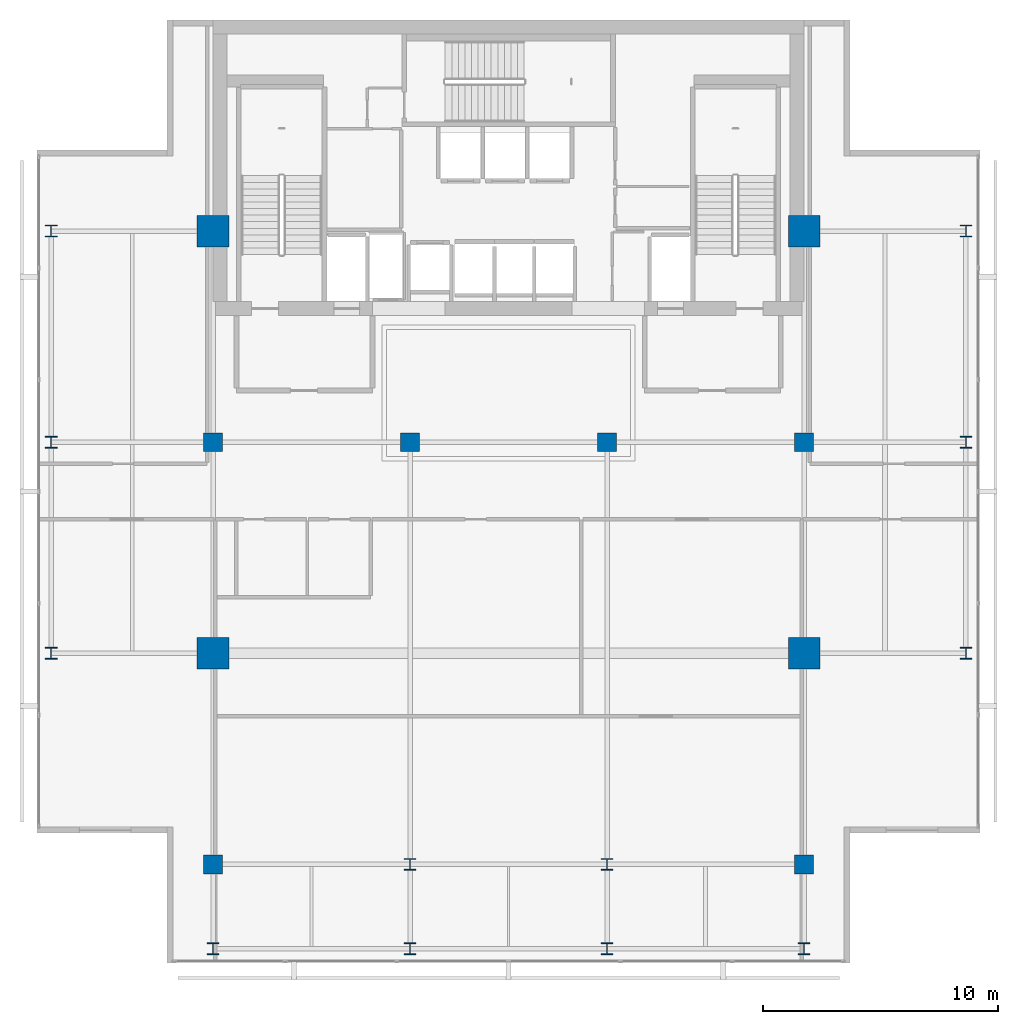
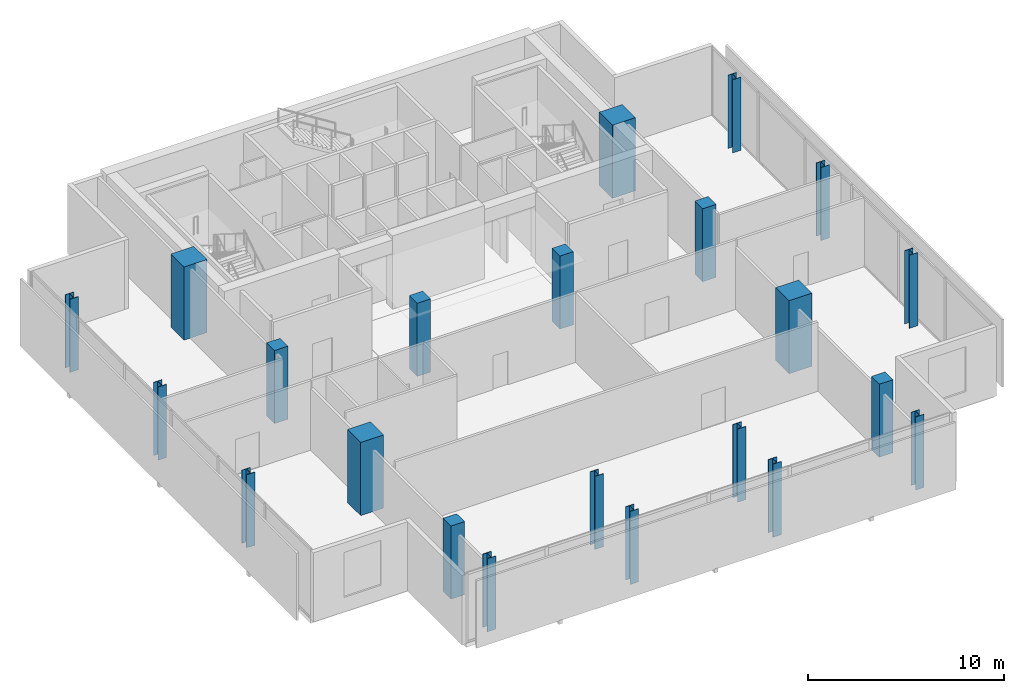
# One storey, part 1 of 23: 22 columns.
"""IFC4 building model written with IfcOpenShell, lengths in metres."""

import ifcopenshell
import ifcopenshell.guid

model = None  # the IFC model being written
_history = None  # IfcOwnerHistory: only IFC2X3 demands one
_inside = {}  # id of a spatial element -> (the spatial element, [elements in it])
_under = {}  # id of a project, library or spatial element -> (it, [spatial elements below it])
_declared = {}  # id of a project -> (the project, [libraries it declares])
_typed = {}  # id of a type object -> (the type object, [elements of that type])
_made_of = {}  # id of a material, layer set ... -> (it, [elements and type objects made of it])


def new_model(schema):
    """Start an empty IFC model of exactly this schema.

    Asked for "IFC4X3", IfcOpenShell would pick the latest addendum, in which some entities
    have other attributes; the version numbers below select the first issue.
    IFC2X3 requires an IfcOwnerHistory on every rooted entity: one is made here for all.
    """
    global model, _history
    if schema == "IFC4X3":
        model = ifcopenshell.file(schema_version=(4, 3, 0, 0))
    else:
        model = ifcopenshell.file(schema=schema)
    _inside.clear()
    _under.clear()
    _declared.clear()
    _typed.clear()
    _made_of.clear()
    _history = None
    if model.schema == "IFC2X3":
        org = make("IfcOrganization", Name="unknown")
        user = make(
            "IfcPersonAndOrganization",
            ThePerson=make("IfcPerson", FamilyName="unknown"),
            TheOrganization=org,
        )
        app = make(
            "IfcApplication",
            ApplicationDeveloper=org,
            Version="unknown",
            ApplicationFullName="unknown",
            ApplicationIdentifier="unknown",
        )
        _history = make(
            "IfcOwnerHistory",
            OwningUser=user,
            OwningApplication=app,
            ChangeAction="ADDED",
            CreationDate=0,
        )
    return model


def make(cls, **values):
    """One entity of the class cls with the attributes given. An attribute that is None is left unset."""
    return model.create_entity(
        cls, **{name: value for name, value in values.items() if value is not None}
    )


def rooted(cls, **values):
    """An entity with a GlobalId (a new one), such as an element, a storey or a relation."""
    return make(cls, GlobalId=ifcopenshell.guid.new(), OwnerHistory=_history, **values)


def si_unit(unit_type, name, prefix=None):
    """IfcSIUnit, for example si_unit("LENGTHUNIT", "METRE", prefix="MILLI")."""
    return make("IfcSIUnit", UnitType=unit_type, Prefix=prefix, Name=name)


def assignment(units):
    """IfcUnitAssignment: the units of a project."""
    return None if units is None else make("IfcUnitAssignment", Units=units)


def point(xyz):
    """IfcCartesianPoint."""
    return None if xyz is None else make("IfcCartesianPoint", Coordinates=xyz)


def direction(xyz):
    """IfcDirection."""
    return None if xyz is None else make("IfcDirection", DirectionRatios=xyz)


def frame(location, z_axis=None, x_axis=None):
    """IfcAxis2Placement3D, a coordinate frame: its origin and axes. An axis left out is left unset."""
    return make(
        "IfcAxis2Placement3D",
        Location=point(location),
        Axis=direction(z_axis),
        RefDirection=direction(x_axis),
    )


def frame_2d(location, x_axis=None):
    """IfcAxis2Placement2D, a coordinate frame in the plane: its origin and x axis."""
    return make(
        "IfcAxis2Placement2D", Location=point(location), RefDirection=direction(x_axis)
    )


def origin():
    """The frame at (0, 0, 0) with its axes left unset."""
    return frame((0.0, 0.0, 0.0))


def origin_2d():
    """The frame at (0, 0) in the plane with its x axis left unset."""
    return frame_2d((0.0, 0.0))


def place(relative_to, where):
    """IfcLocalPlacement: puts the frame where relative to a parent placement (None: the world)."""
    return make(
        "IfcLocalPlacement", PlacementRelTo=relative_to, RelativePlacement=where
    )


def context(
    kind, dimensions, precision=None, world=None, true_north=None, identifier=None
):
    """IfcGeometricRepresentationContext, for example the 3D "Model" context."""
    return make(
        "IfcGeometricRepresentationContext",
        ContextIdentifier=identifier,
        ContextType=kind,
        CoordinateSpaceDimension=dimensions,
        Precision=precision,
        WorldCoordinateSystem=world,
        TrueNorth=true_north,
    )


def subcontext(parent, identifier, kind, view, scale=None):
    """IfcGeometricRepresentationSubContext, for example "Body" below "Model"."""
    return make(
        "IfcGeometricRepresentationSubContext",
        ContextIdentifier=identifier,
        ContextType=kind,
        ParentContext=parent,
        TargetScale=scale,
        TargetView=view,
    )


def project(units=None, contexts=None):
    """IfcProject with its units and contexts."""
    return rooted(
        "IfcProject",
        Name="project",
        RepresentationContexts=contexts,
        UnitsInContext=assignment(units),
    )


def spatial(cls, under=None, at=None, **own):
    """A site, building, storey or space (cls), placed at a placement, below another one or the project."""
    s = rooted(cls, ObjectPlacement=at, **own)
    if under is not None:
        _under.setdefault(under.id(), (under, []))[1].append(s)
    return s


def profile(cls, at=None, kind="AREA", **sizes):
    """A parametric profile (cls). Its sizes go by their IFC names, for example OverallWidth=200.0."""
    return make(cls, ProfileType=kind, Position=at, **sizes)


def rectangle(**sizes):
    """IfcRectangleProfileDef."""
    return profile("IfcRectangleProfileDef", **sizes)


def i_section(**sizes):
    """IfcIShapeProfileDef."""
    return profile("IfcIShapeProfileDef", **sizes)


def extrude(swept, where, along, depth):
    """IfcExtrudedAreaSolid: the profile swept, set in the frame where, extruded along a direction by depth."""
    return make(
        "IfcExtrudedAreaSolid",
        SweptArea=swept,
        Position=where,
        ExtrudedDirection=direction(along),
        Depth=depth,
    )


def shape(context_of_items, identifier, shape_type, items):
    """IfcShapeRepresentation: the items that make up one representation, for example the "Body"."""
    return make(
        "IfcShapeRepresentation",
        ContextOfItems=context_of_items,
        RepresentationIdentifier=identifier,
        RepresentationType=shape_type,
        Items=items,
    )


def material(Name=None, Category=None):
    """IfcMaterial."""
    return make("IfcMaterial", Name=Name, Category=Category)


def material_profile(
    of_material, cross_section, Name=None, Category=None, Priority=None
):
    """IfcMaterialProfile: a cross section and its material."""
    return make(
        "IfcMaterialProfile",
        Name=Name,
        Material=of_material,
        Profile=cross_section,
        Priority=Priority,
        Category=Category,
    )


def profile_set(profiles, Name=None, composite=None):
    """IfcMaterialProfileSet."""
    return make(
        "IfcMaterialProfileSet",
        Name=Name,
        MaterialProfiles=profiles,
        CompositeProfile=composite,
    )


def made_of(thing, what):
    """Note that an element or type object is made of a material, layer set ...; save() writes the relation."""
    if what is not None:
        _made_of.setdefault(what.id(), (what, []))[1].append(thing)
    return thing


def type_object(cls, material=None, **own):
    """A type object (cls), such as IfcWallType, which elements share."""
    return made_of(rooted(cls, **own), material)


def element(
    cls,
    number,
    at=None,
    inside=None,
    cuts=None,
    type_object=None,
    material=None,
    context=None,
    identifier="Body",
    shape_type=None,
    held_by="IfcProductDefinitionShape",
    body=None,
    shapes=None,
    **own,
):
    """One element of the class cls, such as IfcWall. Its Tag is "e" and its number.

    at: its placement. inside: the storey or other place that contains it. cuts: it is an
    opening in that element (IfcRelVoidsElement). A single representation is given by context,
    identifier, shape_type and body (its items); several are given by shapes. held_by: the class
    of the entity that holds the representations. save() writes the other relations.
    """
    e = rooted(cls, Tag="e%d" % number, ObjectPlacement=at, **own)
    if body is not None:
        shapes = [shape(context, identifier, shape_type, body)]
    if shapes is not None:
        e.Representation = make(held_by, Representations=shapes)
    if inside is not None:
        _inside.setdefault(inside.id(), (inside, []))[1].append(e)
    if cuts is not None:
        rooted(
            "IfcRelVoidsElement", RelatingBuildingElement=cuts, RelatedOpeningElement=e
        )
    if type_object is not None:
        _typed.setdefault(type_object.id(), (type_object, []))[1].append(e)
    return made_of(e, material)


def aggregate(whole, parts):
    """IfcRelAggregates: a whole, such as a stair, and the parts it consists of."""
    return rooted("IfcRelAggregates", RelatingObject=whole, RelatedObjects=parts)


def save(model, path):
    """Write the relations noted so far, then the file.

    IfcRelAggregates (storeys below a building ...), IfcRelContainedInSpatialStructure (elements
    in a storey), IfcRelDefinesByType, IfcRelAssociatesMaterial and IfcRelDeclares: one each for
    every whole, place, type object, material and project.
    """
    for whole, parts in _under.values():
        aggregate(whole, parts)
    for where, things in _inside.values():
        rooted(
            "IfcRelContainedInSpatialStructure",
            RelatedElements=things,
            RelatingStructure=where,
        )
    for kind, things in _typed.values():
        rooted("IfcRelDefinesByType", RelatedObjects=things, RelatingType=kind)
    for what, things in _made_of.values():
        rooted("IfcRelAssociatesMaterial", RelatedObjects=things, RelatingMaterial=what)
    for by, libraries in _declared.values():
        rooted("IfcRelDeclares", RelatingContext=by, RelatedDefinitions=libraries)
    model.write(path)


model = new_model("IFC4")

# Units and contexts
model_context = context("Model", 3, precision=1e-05, world=origin(), true_north=direction((0.0, 1.0)))
body_context = subcontext(model_context, "Body", "Model", "MODEL_VIEW")
ifc_project = project(units=[si_unit("LENGTHUNIT", "METRE"), si_unit("AREAUNIT", "SQUARE_METRE"), si_unit("VOLUMEUNIT", "CUBIC_METRE"), si_unit("PLANEANGLEUNIT", "RADIAN"), si_unit("MASSUNIT", "GRAM", prefix="KILO")], contexts=[model_context])

# Site, building, storey
site_placement = place(None, origin())
site = spatial("IfcSite", under=ifc_project, at=site_placement, CompositionType="ELEMENT")
building_placement = place(site_placement, origin())
building = spatial("IfcBuilding", under=site, at=building_placement, Name="Maruvema Waterfront Hotel and Observation Tower", CompositionType="ELEMENT")
storey_placement = place(building_placement, frame((0.0, 0.0, 345.10009765625)))
storey = spatial("IfcBuildingStorey", under=building, at=storey_placement, Name="L85", CompositionType="ELEMENT", Elevation=345.10009765625)

# Columns
ifc_material_1 = material(Name="Concrete C70/85", Category="concrete")
ifc_material_profile_1 = material_profile(ifc_material_1, rectangle(XDim=1.35009765625, YDim=1.35009765625, at=origin_2d()), Name="MC1350x1350")
ifc_profile_set_1 = profile_set([ifc_material_profile_1], Name="Concrete C70/85")
column_type_1 = type_object("IfcColumnType", Name="Continuous Mega-Column MC1350x1350", PredefinedType="COLUMN", material=ifc_profile_set_1)
for number, where, z_axis, x_axis, name in (
    (1, (25.199951171875, 27.0, 0.0), (0.0, 0.0, 1.0), (1.0, 0.0, 0.0), "L85 Continuous Mega-Column MC-01"),
    (2, (50.39990234375, 27.0, 0.0), (0.0, 0.0, 1.0), (1.0, 0.0, 0.0), "L85 Continuous Mega-Column MC-02"),
    (3, (25.199951171875, 45.0, 0.0), (0.0, 0.0, 1.0), (1.0, 0.0, 0.0), "L85 Continuous Mega-Column MC-03"),
    (4, (50.39990234375, 45.0, 0.0), (0.0, 0.0, 1.0), (1.0, 0.0, 0.0), "L85 Continuous Mega-Column MC-04"),
):
    element("IfcColumn", number, at=place(storey_placement, frame(where, z_axis=z_axis, x_axis=x_axis)), inside=storey, type_object=column_type_1, Name=name, PredefinedType="COLUMN", context=body_context, shape_type="SweptSolid", body=[
        extrude(rectangle(XDim=1.35009765625, YDim=1.35009765625, at=origin_2d()), origin(), (0.0, 0.0, 1.0), 4.5498046875),
    ])
ifc_material_2 = material(Name="Concrete C60/75", Category="concrete")
ifc_material_profile_2 = material_profile(ifc_material_2, rectangle(XDim=0.800048828125, YDim=0.800048828125, at=origin_2d()), Name="RC800x800")
ifc_profile_set_2 = profile_set([ifc_material_profile_2], Name="Concrete C60/75")
column_type_2 = type_object("IfcColumnType", Name="Reinforced Concrete Column RC800x800", PredefinedType="COLUMN", material=ifc_profile_set_2)
for number, where, z_axis, x_axis, name in (
    (5, (25.199951171875, 36.0, 0.0), (0.0, 0.0, 1.0), (1.0, 0.0, 0.0), "L85 Column C-4E"),
    (6, (33.60009765625, 36.0, 0.0), (0.0, 0.0, 1.0), (1.0, 0.0, 0.0), "L85 Column C-5E"),
    (7, (42.0, 36.0, 0.0), (0.0, 0.0, 1.0), (1.0, 0.0, 0.0), "L85 Column C-6E"),
    (8, (50.39990234375, 36.0, 0.0), (0.0, 0.0, 1.0), (1.0, 0.0, 0.0), "L85 Column C-7E"),
    (9, (25.199951171875, 18.0, 0.0), (0.0, 0.0, 1.0), (1.0, 0.0, 0.0), "L85 Column C-4C"),
    (10, (50.39990234375, 18.0, 0.0), (0.0, 0.0, 1.0), (1.0, 0.0, 0.0), "L85 Column C-7C"),
):
    element("IfcColumn", number, at=place(storey_placement, frame(where, z_axis=z_axis, x_axis=x_axis)), inside=storey, type_object=column_type_2, Name=name, PredefinedType="COLUMN", context=body_context, shape_type="SweptSolid", body=[
        extrude(rectangle(XDim=0.800048828125, YDim=0.800048828125, at=origin_2d()), origin(), (0.0, 0.0, 1.0), 4.5498046875),
    ])
ifc_material_3 = material(Name="Steel ABNT NBR 7007 AR 415 (ASTM A572 Grade 50)", Category="steel")
ifc_material_profile_3 = material_profile(ifc_material_3, i_section(OverallWidth=0.5, OverallDepth=0.5, WebThickness=0.02197265625, FlangeThickness=0.031982421875, at=origin_2d()), Name="CVS500x223")
ifc_profile_set_3 = profile_set([ifc_material_profile_3], Name="Steel ABNT NBR 7007 AR 415 (ASTM A572 Grade 50)")
column_type_3 = type_object("IfcColumnType", Name="Structural Steel Column CVS500x223", PredefinedType="COLUMN", material=ifc_profile_set_3)
for number, where, z_axis, x_axis, name in (
    (11, (33.60009765625, 18.0, 0.0), (0.0, 0.0, 1.0), (1.0, 0.0, 0.0), "L85 Column C-5C"),
    (12, (42.0, 18.0, 0.0), (0.0, 0.0, 1.0), (1.0, 0.0, 0.0), "L85 Column C-6C"),
    (13, (18.300048828125, 27.0, 0.0), (0.0, 0.0, 1.0), (1.0, 0.0, 0.0), "L85 Column C-Z4W27"),
    (14, (57.300048828125, 27.0, 0.0), (0.0, 0.0, 1.0), (1.0, 0.0, 0.0), "L85 Column C-Z4E27"),
    (15, (18.300048828125, 36.0, 0.0), (0.0, 0.0, 1.0), (1.0, 0.0, 0.0), "L85 Column C-Z4W36"),
    (16, (57.300048828125, 36.0, 0.0), (0.0, 0.0, 1.0), (1.0, 0.0, 0.0), "L85 Column C-Z4E36"),
    (17, (18.300048828125, 45.0, 0.0), (0.0, 0.0, 1.0), (1.0, 0.0, 0.0), "L85 Column C-Z4W45"),
    (18, (57.300048828125, 45.0, 0.0), (0.0, 0.0, 1.0), (1.0, 0.0, 0.0), "L85 Column C-Z4E45"),
    (19, (25.199951171875, 14.39990234375, 0.0), (0.0, 0.0, 1.0), (1.0, 0.0, 0.0), "L85 Column C-Z4S4"),
    (20, (33.60009765625, 14.39990234375, 0.0), (0.0, 0.0, 1.0), (1.0, 0.0, 0.0), "L85 Column C-Z4S5"),
    (21, (42.0, 14.39990234375, 0.0), (0.0, 0.0, 1.0), (1.0, 0.0, 0.0), "L85 Column C-Z4S6"),
    (22, (50.39990234375, 14.39990234375, 0.0), (0.0, 0.0, 1.0), (1.0, 0.0, 0.0), "L85 Column C-Z4S7"),
):
    element("IfcColumn", number, at=place(storey_placement, frame(where, z_axis=z_axis, x_axis=x_axis)), inside=storey, type_object=column_type_3, Name=name, PredefinedType="COLUMN", context=body_context, shape_type="SweptSolid", body=[
        extrude(i_section(OverallWidth=0.5, OverallDepth=0.5, WebThickness=0.02197265625, FlangeThickness=0.031982421875, at=origin_2d()), origin(), (0.0, 0.0, 1.0), 4.5498046875),
    ])

save(model, "model.ifc")
